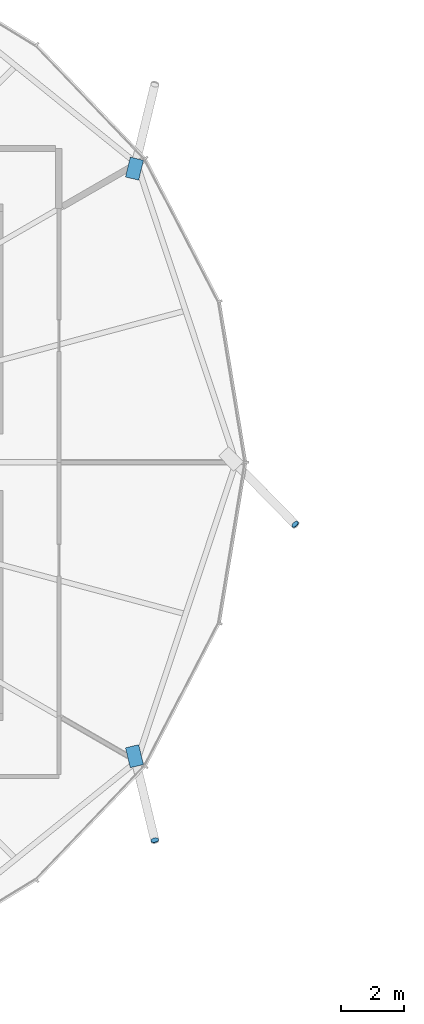
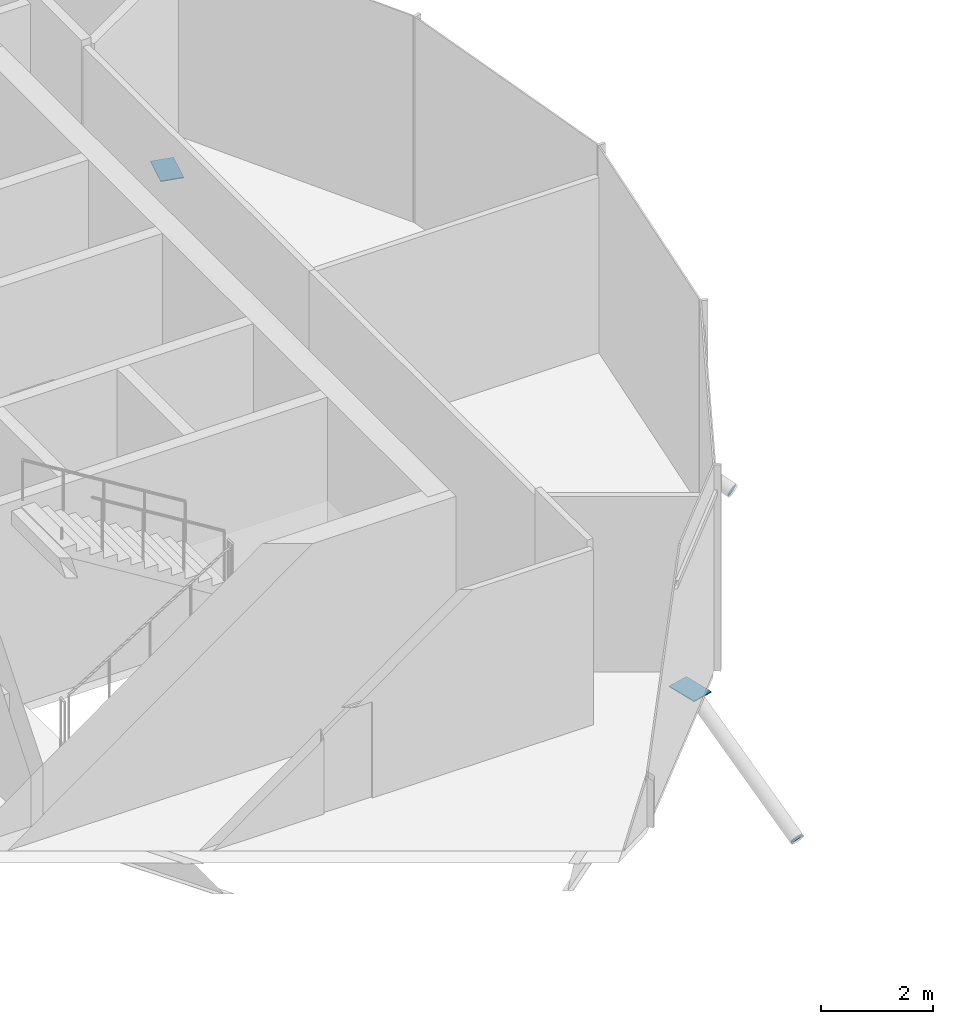
# One storey, part 24 of 31: 4 discrete accessories.
"""IFC4 building model written with IfcOpenShell, lengths in metres."""

from ifc_helpers import new_model, si_unit, direction, frame, origin, origin_2d, place, context, subcontext, project, spatial, polyline, rectangle, circle, outline, extrude, material, material_profile, profile_set, type_object, element, save


model = new_model("IFC4")

# Units and contexts
model_context = context("Model", 3, precision=1e-05, world=origin(), true_north=direction((0.0, 1.0)))
body_context = subcontext(model_context, "Body", "Model", "MODEL_VIEW")
ifc_project = project(units=[si_unit("LENGTHUNIT", "METRE"), si_unit("AREAUNIT", "SQUARE_METRE"), si_unit("VOLUMEUNIT", "CUBIC_METRE"), si_unit("PLANEANGLEUNIT", "RADIAN"), si_unit("MASSUNIT", "GRAM", prefix="KILO")], contexts=[model_context])

# Site, building, storey
site_placement = place(None, origin())
site = spatial("IfcSite", under=ifc_project, at=site_placement, CompositionType="ELEMENT")
building_placement = place(site_placement, origin())
building = spatial("IfcBuilding", under=site, at=building_placement, Name="Rimbun Link Towers", CompositionType="ELEMENT")
storey_placement = place(building_placement, frame((0.0, 0.0, 263.10009765625)))
storey = spatial("IfcBuildingStorey", under=building, at=storey_placement, Name="L64", CompositionType="ELEMENT", Elevation=263.10009765625)

# Discrete accessories
ifc_material_1 = material(Name="Steel S355J2H", Category="steel")
ifc_material_profile_1 = material_profile(ifc_material_1, circle(Radius=0.1240234375, at=origin_2d()), Name="PL D248")
ifc_profile_set_1 = profile_set([ifc_material_profile_1], Name="Steel S355J2H")
discrete_accessory_type_1 = type_object("IfcDiscreteAccessoryType", Name="Link foot sealing plate D248X20", PredefinedType="BRACKET", material=ifc_profile_set_1)
for number, where, z_axis, x_axis, name in (
    (1, (-10.227294921875, -1.966796875, -2.412109375), (0.596409007061, -0.60858061945, -0.523379332727), (0.714212839143, 0.69992858236, 0.0), "Link foot sealing plate T1 L64 00"),
    (2, (-14.696044921875, -12.027587890625, -2.34521484375), (0.195063939638, -0.804638751005, -0.560808826458), (0.971850105689, 0.235600025622, 0.0), "Link foot sealing plate T1 L64 22"),
):
    element("IfcDiscreteAccessory", number, at=place(storey_placement, frame(where, z_axis=z_axis, x_axis=x_axis)), inside=storey, type_object=discrete_accessory_type_1, Name=name, PredefinedType="BRACKET", context=body_context, shape_type="SweptSolid", body=[
        extrude(circle(Radius=0.1240234375, at=origin_2d()), origin(), (0.0, 0.0, 1.0), 0.02001953125),
    ])
ifc_material_2 = material(Name="Steel S355J2H", Category="steel")
ifc_material_profile_2 = material_profile(ifc_material_2, rectangle(XDim=0.43310546875, YDim=0.43310546875, at=origin_2d()), Name="PL 433x433")
ifc_profile_set_2 = profile_set([ifc_material_profile_2], Name="Steel S355J2H")
discrete_accessory_type_2 = type_object("IfcDiscreteAccessoryType", Name="Link head end plate 433X20", PredefinedType="BRACKET", material=ifc_profile_set_2)
discrete_accessory_1_placement = place(storey_placement, frame((0.0, 0.0, -0.50341796875)))
element("IfcDiscreteAccessory", 3, at=discrete_accessory_1_placement, inside=storey, type_object=discrete_accessory_type_2, Name="Link head end plate T1 L64 02", PredefinedType="BRACKET", context=body_context, shape_type="SweptSolid", body=[
    extrude(outline(polyline([(-15.20751953125, 8.989990234375), (-15.0546875, 9.622314453125), (-15.4755859375, 9.723876953125), (-15.62841796875, 9.091796875), (-15.20751953125, 8.989990234375)])), origin(), (0.0, 0.0, 1.0), 0.02001953125),
])
discrete_accessory_2_placement = place(storey_placement, frame((0.0, 0.0, -0.50341796875)))
element("IfcDiscreteAccessory", 4, at=discrete_accessory_2_placement, inside=storey, type_object=discrete_accessory_type_2, Name="Link head end plate T1 L64 22", PredefinedType="BRACKET", context=body_context, shape_type="SweptSolid", body=[
    extrude(outline(polyline([(-15.62841796875, -9.091796875), (-15.4755859375, -9.723876953125), (-15.0546875, -9.622314453125), (-15.20751953125, -8.989990234375), (-15.62841796875, -9.091796875)])), origin(), (0.0, 0.0, 1.0), 0.02001953125),
])

save(model, "model.ifc")
